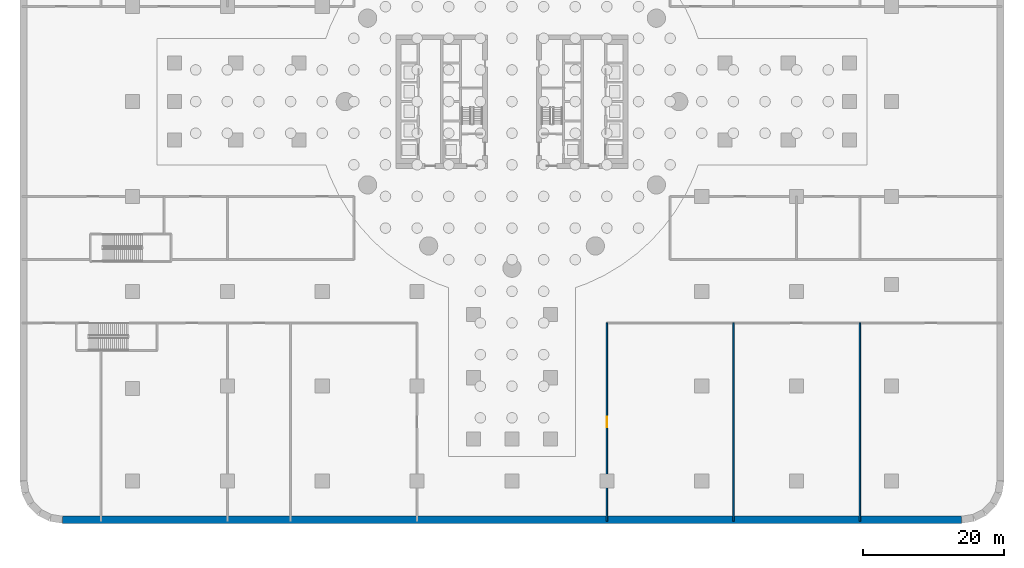
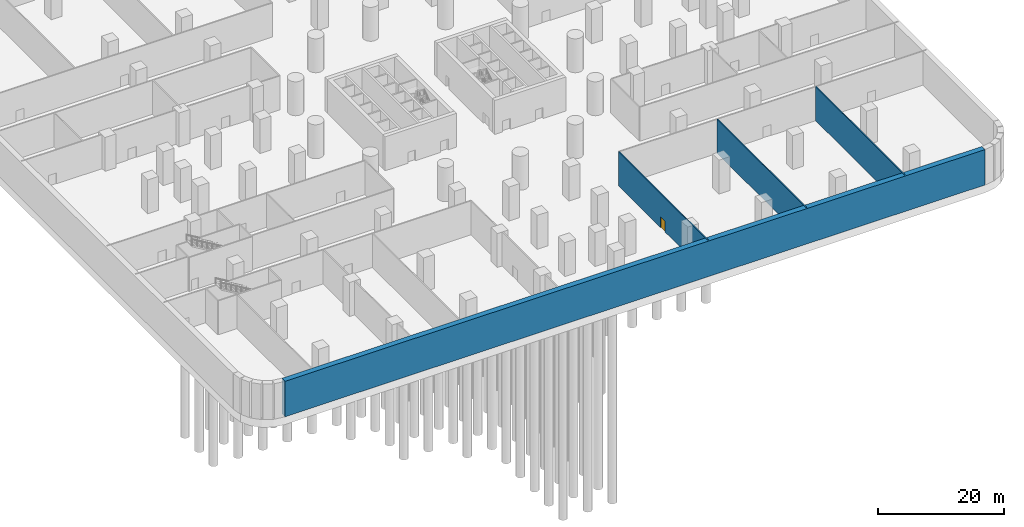
# One storey, part 6 of 13: 4 walls, 1 door, 1 opening.
"""IFC4 building model written with IfcOpenShell, lengths in metres."""

from ifc_helpers import new_model, si_unit, direction, frame, frame_2d, origin, place, context, subcontext, project, spatial, rectangle, extrude, material, layer, layer_set, type_object, element, fill, save


model = new_model("IFC4")

# Units and contexts
model_context = context("Model", 3, precision=1e-05, world=origin(), true_north=direction((0.0, 1.0)))
body_context = subcontext(model_context, "Body", "Model", "MODEL_VIEW")
ifc_project = project(units=[si_unit("LENGTHUNIT", "METRE"), si_unit("AREAUNIT", "SQUARE_METRE"), si_unit("VOLUMEUNIT", "CUBIC_METRE"), si_unit("PLANEANGLEUNIT", "RADIAN"), si_unit("MASSUNIT", "GRAM", prefix="KILO")], contexts=[model_context])

# Site, building, storey
site_placement = place(None, origin())
site = spatial("IfcSite", under=ifc_project, at=site_placement, CompositionType="ELEMENT")
building_placement = place(site_placement, origin())
building = spatial("IfcBuilding", under=site, at=building_placement, Name="Tamarind Cross Interchange Tower", CompositionType="ELEMENT")
storey_placement = place(building_placement, frame((0.0, 0.0, -21.0)))
storey = spatial("IfcBuildingStorey", under=building, at=storey_placement, Name="B3", CompositionType="ELEMENT", Elevation=-21.0)

# Wall
ifc_material_1 = material(Name="Concrete C40", Category="concrete")
ifc_layer_1 = layer(ifc_material_1, 1.0)
ifc_layer_set_1 = layer_set([ifc_layer_1], Name="Concrete C40")
wall_type_1 = type_object("IfcWallType", Name="Basement wall 1000 Concrete C40", PredefinedType="SOLIDWALL", material=ifc_layer_set_1)
wall_1_placement = place(storey_placement, frame((63.931396484375, -59.5, -0.300048828125), z_axis=(0.0, 0.0, 1.0), x_axis=(-1.0, 0.0, 0.0)))
element("IfcWall", 1, at=wall_1_placement, inside=storey, type_object=wall_type_1, Name="Basement wall B3-1", PredefinedType="SOLIDWALL", context=body_context, shape_type="SweptSolid", body=[
    extrude(rectangle(XDim=127.86279296875, YDim=1.0, at=frame_2d((63.931396484375, 0.0))), origin(), (0.0, 0.0, 1.0), 6.85009765625),
])

# Wall, opening, door
ifc_material_2 = material(Name="Masonry partition, fire-rated", Category="masonry")
ifc_layer_2 = layer(ifc_material_2, 0.199951171875)
ifc_layer_set_2 = layer_set([ifc_layer_2], Name="Masonry partition, fire-rated")
wall_type_2 = type_object("IfcWallType", Name="Fire partition 200 EI 120", PredefinedType="PARTITIONING", material=ifc_layer_set_2)
wall_2_placement = place(storey_placement, frame((13.5, -59.698974609375, 0.0), z_axis=(0.0, 0.0, 1.0), x_axis=(0.0, 1.0, 0.0)))
wall_2 = element("IfcWall", 2, at=wall_2_placement, inside=storey, type_object=wall_type_2, Name="B3 partition 30", PredefinedType="PARTITIONING", context=body_context, shape_type="SweptSolid", body=[
    extrude(rectangle(XDim=28.198974609375, YDim=0.199951171875, at=frame_2d((14.099609375, 0.0))), origin(), (0.0, 0.0, 1.0), 6.550048828125),
])
opening_placement = place(wall_2_placement, frame((13.34912109375, 0.0, 0.0)))
opening = element("IfcOpeningElement", 3, at=opening_placement, cuts=wall_2, Name="Opening DB3-25", PredefinedType="OPENING", context=body_context, shape_type="SweptSolid", body=[
    extrude(rectangle(XDim=1.5, YDim=2.10009765625, at=frame_2d((0.75, 1.050048828125))), frame((0.0, 0.10986328125, 0.0), z_axis=(0.0, -1.0, 0.0), x_axis=(1.0, 0.0, 0.0)), (0.0, 0.0, 1.0), 0.219970703125),
])
ifc_material_3 = material(Name="Steel, fire-resisting", Category="steel")
door_type = type_object("IfcDoorType", Name="Podium door 1500 x 2100 FD90", OperationType="SINGLE_SWING_LEFT", PredefinedType="DOOR", material=ifc_material_3)
door_placement = place(opening_placement, origin())
door = element("IfcDoor", 4, at=door_placement, inside=storey, type_object=door_type, Name="B3 door Transformer Room B323", OperationType="SINGLE_SWING_LEFT", OverallHeight=2.10009765625, OverallWidth=1.5, PredefinedType="DOOR", context=body_context, shape_type="SweptSolid", body=[
    extrude(rectangle(XDim=1.5, YDim=2.10009765625, at=frame_2d((0.75, 1.050048828125))), frame((0.0, 0.02490234375, 0.0), z_axis=(0.0, -1.0, 0.0), x_axis=(1.0, 0.0, 0.0)), (0.0, 0.0, 1.0), 0.050048828125),
])
fill(opening, door)

# Walls
for number, where, z_axis, x_axis, name in (
    (5, (31.5, -59.698974609375, 0.0), (0.0, 0.0, 1.0), (0.0, 1.0, 0.0), "B3 partition 34"),
    (6, (49.5, -59.698974609375, 0.0), (0.0, 0.0, 1.0), (0.0, 1.0, 0.0), "B3 partition 44"),
):
    element("IfcWall", number, at=place(storey_placement, frame(where, z_axis=z_axis, x_axis=x_axis)), inside=storey, type_object=wall_type_2, Name=name, PredefinedType="PARTITIONING", context=body_context, shape_type="SweptSolid", body=[
        extrude(rectangle(XDim=28.198974609375, YDim=0.199951171875, at=frame_2d((14.099609375, 0.0))), origin(), (0.0, 0.0, 1.0), 6.550048828125),
    ])

save(model, "model.ifc")
